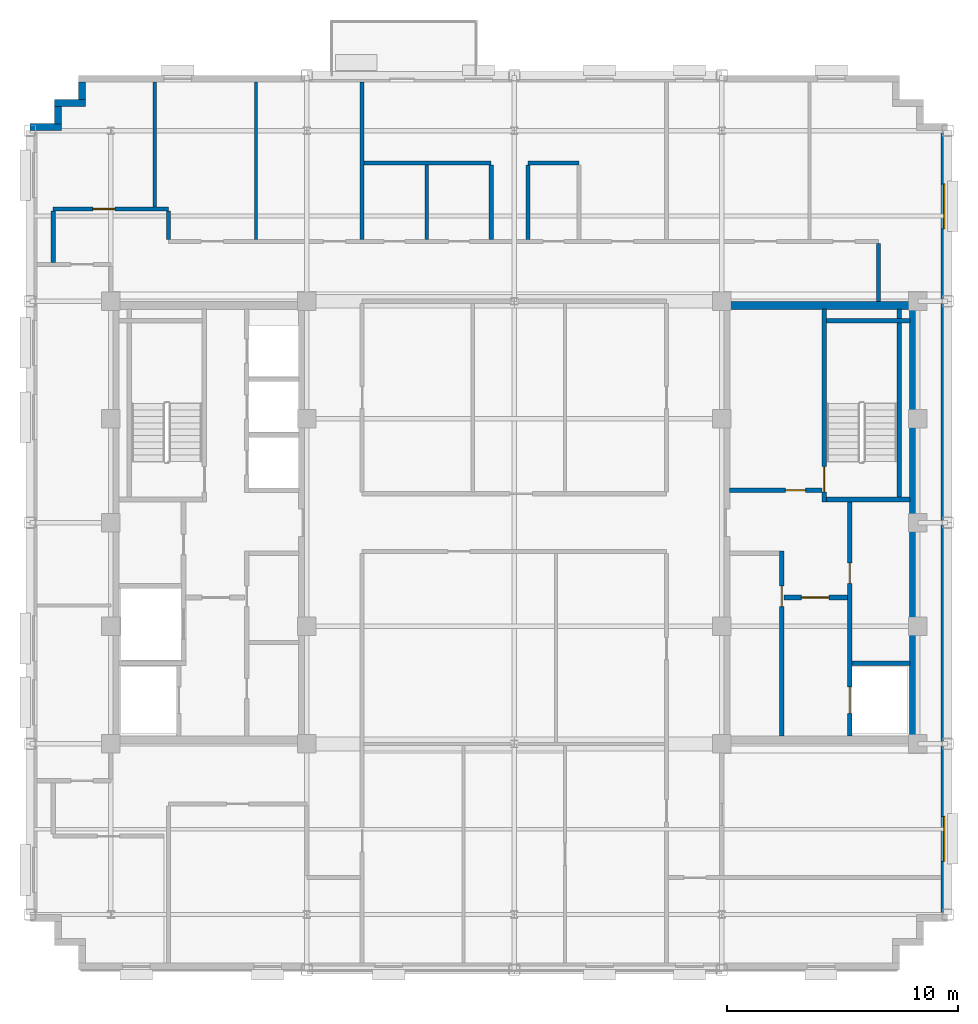
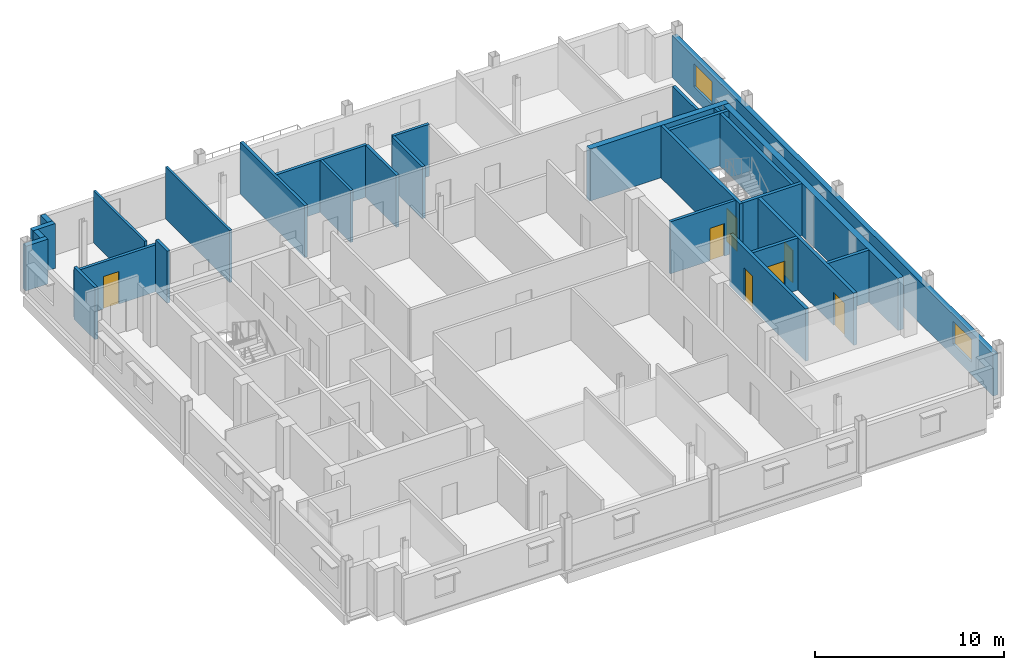
# One storey, part 8 of 14: 28 walls, 7 doors, 2 windows, 9 openings.
"""IFC4 building model written with IfcOpenShell, lengths in metres."""

from ifc_helpers import new_model, si_unit, direction, frame, frame_2d, origin, place, context, subcontext, project, spatial, rectangle, extrude, source, transform, mapped, material, layer, layer_set, type_object, type_shapes, element, fill, save


model = new_model("IFC4")

# Units and contexts
model_context = context("Model", 3, precision=1e-05, world=origin(), true_north=direction((0.0, 1.0)))
body_context = subcontext(model_context, "Body", "Model", "MODEL_VIEW")
ifc_project = project(units=[si_unit("LENGTHUNIT", "METRE"), si_unit("AREAUNIT", "SQUARE_METRE"), si_unit("VOLUMEUNIT", "CUBIC_METRE"), si_unit("PLANEANGLEUNIT", "RADIAN"), si_unit("MASSUNIT", "GRAM", prefix="KILO")], contexts=[model_context])

# Site, building, storey
site_placement = place(None, origin())
site = spatial("IfcSite", under=ifc_project, at=site_placement, CompositionType="ELEMENT")
building_placement = place(site_placement, origin())
building = spatial("IfcBuilding", under=site, at=building_placement, Name="Nuvemarco Arch Tower", CompositionType="ELEMENT")
storey_placement = place(building_placement, frame((0.0, 0.0, 268.89990234375)))
storey = spatial("IfcBuildingStorey", under=building, at=storey_placement, Name="L71", CompositionType="ELEMENT", Elevation=268.89990234375)

# Wall, openings, windows
ifc_material_1 = material(Name="Precast concrete C45/55", Category="concrete")
ifc_layer_1 = layer(ifc_material_1, 0.300048828125, Name="EW-HIGH-300")
ifc_layer_set_1 = layer_set([ifc_layer_1], Name="Precast concrete C45/55")
wall_type_1 = type_object("IfcWallType", Name="EW-HIGH-300", PredefinedType="STANDARD", material=ifc_layer_set_1)
wall_1_placement = place(storey_placement, frame((18.64990234375, -17.00390625, 0.0), z_axis=(0.0, 0.0, 1.0), x_axis=(0.0, 1.0, 0.0)))
wall_1 = element("IfcWall", 1, at=wall_1_placement, inside=storey, type_object=wall_type_1, Name="L71 exterior precast facade wall 6", PredefinedType="STANDARD", context=body_context, shape_type="SweptSolid", body=[
    extrude(rectangle(XDim=34.0078125, YDim=0.300048828125, at=frame_2d((17.00390625, 0.0))), origin(), (0.0, 0.0, 1.0), 2.705078125),
])
opening_1_placement = place(wall_1_placement, frame((2.311279296875, 0.0, 0.800048828125)))
opening_1 = element("IfcOpeningElement", 2, at=opening_1_placement, cuts=wall_1, Name="Opening WN-7", PredefinedType="OPENING", context=body_context, shape_type="SweptSolid", body=[
    extrude(rectangle(XDim=1.949951171875, YDim=1.47998046875, at=frame_2d((0.97509765625, 0.739990234375))), frame((0.0, 0.159912109375, 0.0), z_axis=(0.0, -1.0, 0.0), x_axis=(1.0, 0.0, 0.0)), (0.0, 0.0, 1.0), 0.320068359375),
])
opening_2_placement = place(wall_1_placement, frame((29.74658203125, 0.0, 0.800048828125)))
opening_2 = element("IfcOpeningElement", 3, at=opening_2_placement, cuts=wall_1, Name="Opening WN-7", PredefinedType="OPENING", context=body_context, shape_type="SweptSolid", body=[
    extrude(rectangle(XDim=1.949951171875, YDim=1.47998046875, at=frame_2d((0.97509765625, 0.739990234375))), frame((0.0, 0.159912109375, 0.0), z_axis=(0.0, -1.0, 0.0), x_axis=(1.0, 0.0, 0.0)), (0.0, 0.0, 1.0), 0.320068359375),
])
ifc_material_2 = material(Name="Insulated solar-control glass", Category="glass")
window_type = type_object("IfcWindowType", Name="WN-HIGH-1950x1480", PartitioningType="DOUBLE_PANEL_VERTICAL", PredefinedType="WINDOW", material=ifc_material_2)
shared_shape_1 = source(origin(), body_context, "Body", "SweptSolid", [
    extrude(rectangle(XDim=1.949951171875, YDim=1.47998046875, at=frame_2d((0.97509765625, 0.739990234375))), frame((0.0, 0.030029296875, 0.0), z_axis=(0.0, -1.0, 0.0), x_axis=(1.0, 0.0, 0.0)), (0.0, 0.0, 1.0), 0.06005859375),
])
type_shapes(window_type, [shared_shape_1])
window_1_placement = place(opening_1_placement, origin())
window_1 = element("IfcWindow", 4, at=window_1_placement, inside=storey, type_object=window_type, Name="L71 punched facade window 1", OverallHeight=1.47998046875, OverallWidth=1.949951171875, PartitioningType="SINGLE_PANEL", PredefinedType="WINDOW", context=body_context, shape_type="MappedRepresentation", body=[
    mapped(shared_shape_1, transform((0.0, 0.0, 0.0), scale=1.0)),
])
fill(opening_1, window_1)
window_2_placement = place(opening_2_placement, origin())
window_2 = element("IfcWindow", 5, at=window_2_placement, inside=storey, type_object=window_type, Name="L71 punched facade window 7", OverallHeight=1.47998046875, OverallWidth=1.949951171875, PartitioningType="SINGLE_PANEL", PredefinedType="WINDOW", context=body_context, shape_type="MappedRepresentation", body=[
    mapped(shared_shape_1, transform((0.0, 0.0, 0.0), scale=1.0)),
])
fill(opening_2, window_2)

# Walls
wall_2_placement = place(storey_placement, frame((-18.75, 18.345947265625, 0.0), z_axis=(0.0, 0.0, 1.0), x_axis=(0.0, 1.0, 0.0)))
element("IfcWall", 6, at=wall_2_placement, inside=storey, type_object=wall_type_1, Name="L71 exterior precast facade wall 12", PredefinedType="STANDARD", context=body_context, shape_type="SweptSolid", body=[
    extrude(rectangle(XDim=0.758056640625, YDim=0.300048828125, at=frame_2d((0.37890625, 0.0))), origin(), (0.0, 0.0, 1.0), 2.89208984375),
])
wall_3_placement = place(storey_placement, frame((-19.949951171875, 18.199951171875, 0.0), z_axis=(0.0, 0.0, 1.0), x_axis=(1.0, 0.0, 0.0)))
element("IfcWall", 7, at=wall_3_placement, inside=storey, type_object=wall_type_1, Name="L71 exterior precast facade wall 13", PredefinedType="STANDARD", context=body_context, shape_type="SweptSolid", body=[
    extrude(rectangle(XDim=1.349853515625, YDim=0.300048828125, at=frame_2d((0.6748046875, 0.0))), origin(), (0.0, 0.0, 1.0), 2.89208984375),
])
wall_4_placement = place(storey_placement, frame((-19.800048828125, 17.2958984375, 0.0), z_axis=(0.0, 0.0, 1.0), x_axis=(0.0, 1.0, 0.0)))
element("IfcWall", 8, at=wall_4_placement, inside=storey, type_object=wall_type_1, Name="L71 exterior precast facade wall 14", PredefinedType="STANDARD", context=body_context, shape_type="SweptSolid", body=[
    extrude(rectangle(XDim=0.758056640625, YDim=0.300048828125, at=frame_2d((0.37890625, 0.0))), origin(), (0.0, 0.0, 1.0), 2.89208984375),
])
wall_5_placement = place(storey_placement, frame((-21.0, 17.14990234375, 0.0), z_axis=(0.0, 0.0, 1.0), x_axis=(1.0, 0.0, 0.0)))
element("IfcWall", 9, at=wall_5_placement, inside=storey, type_object=wall_type_1, Name="L71 exterior precast facade wall 15", PredefinedType="STANDARD", context=body_context, shape_type="SweptSolid", body=[
    extrude(rectangle(XDim=1.35009765625, YDim=0.300048828125, at=frame_2d((0.675048828125, 0.0))), origin(), (0.0, 0.0, 1.0), 2.89208984375),
])
ifc_material_3 = material(Name="Concrete C50/60", Category="concrete")
ifc_layer_2 = layer(ifc_material_3, 0.35009765625, Name="WL-CORE-350")
ifc_layer_set_2 = layer_set([ifc_layer_2], Name="Concrete C50/60")
wall_type_2 = type_object("IfcWallType", Name="WL-CORE-350", PredefinedType="SHEAR", material=ifc_layer_set_2)
wall_6_placement = place(storey_placement, frame((9.0, 9.425048828125, 0.0), z_axis=(0.0, 0.0, 1.0), x_axis=(1.0, 0.0, 0.0)))
element("IfcWall", 10, at=wall_6_placement, inside=storey, type_object=wall_type_2, Name="L71 E-core shear wall N", PredefinedType="SHEAR", context=body_context, shape_type="SweptSolid", body=[
    extrude(rectangle(XDim=8.5, YDim=0.35009765625, at=frame_2d((4.25, 0.0))), origin(), (0.0, 0.0, 1.0), 3.3701171875),
])
wall_7_placement = place(storey_placement, frame((17.324951171875, -9.2548828125, 0.0), z_axis=(0.0, 0.0, 1.0), x_axis=(0.0, 1.0, 0.0)))
element("IfcWall", 11, at=wall_7_placement, inside=storey, type_object=wall_type_2, Name="L71 E-core shear wall E", PredefinedType="SHEAR", context=body_context, shape_type="SweptSolid", body=[
    extrude(rectangle(XDim=18.509765625, YDim=0.35009765625, at=frame_2d((9.2548828125, 0.0))), origin(), (0.0, 0.0, 1.0), 3.3701171875),
])

# Wall, opening, door
ifc_material_4 = material(Name="Fire-rated gypsum drywall partition")
ifc_layer_3 = layer(ifc_material_4, 0.179931640625, Name="WL-CORR-180")
ifc_layer_set_3 = layer_set([ifc_layer_3], Name="Fire-rated gypsum drywall partition")
wall_type_3 = type_object("IfcWallType", Name="WL-CORR-180", PredefinedType="PARTITIONING", material=ifc_layer_set_3)
wall_8_placement = place(storey_placement, frame((9.344970703125, 1.39990234375, 0.0), z_axis=(0.0, 0.0, 1.0), x_axis=(1.0, 0.0, 0.0)))
wall_8 = element("IfcWall", 12, at=wall_8_placement, inside=storey, type_object=wall_type_3, Name="L71 interior wall IW-L71-EK-S", PredefinedType="PARTITIONING", context=body_context, shape_type="SweptSolid", body=[
    extrude(rectangle(XDim=4.0, YDim=0.179931640625, at=frame_2d((2.0, 0.0))), origin(), (0.0, 0.0, 1.0), 3.360107421875),
])
opening_3_placement = place(wall_8_placement, frame((2.4150390625, 0.0, 0.0)))
opening_3 = element("IfcOpeningElement", 13, at=opening_3_placement, cuts=wall_8, Name="Opening FD-4", PredefinedType="OPENING", context=body_context, shape_type="SweptSolid", body=[
    extrude(rectangle(XDim=0.8798828125, YDim=2.10009765625, at=frame_2d((0.43994140625, 1.050048828125))), frame((0.0, 0.099853515625, 0.0), z_axis=(0.0, -1.0, 0.0), x_axis=(1.0, 0.0, 0.0)), (0.0, 0.0, 1.0), 0.199951171875),
])
ifc_material_5 = material(Name="Anodised steel fire door", Category="steel")
door_type_1 = type_object("IfcDoorType", Name="DR-RISER-FD", OperationType="NOTDEFINED", PredefinedType="DOOR", material=ifc_material_5)
shared_shape_2 = source(origin(), body_context, "Body", "SweptSolid", [
    extrude(rectangle(XDim=0.8798828125, YDim=2.10009765625, at=frame_2d((0.43994140625, 1.050048828125))), frame((0.0, 0.02490234375, 0.0), z_axis=(0.0, -1.0, 0.0), x_axis=(1.0, 0.0, 0.0)), (0.0, 0.0, 1.0), 0.050048828125),
])
type_shapes(door_type_1, [shared_shape_2])
door_1_placement = place(opening_3_placement, origin())
door_1 = element("IfcDoor", 14, at=door_1_placement, inside=storey, type_object=door_type_1, Name="L71 door FD-L71-EK1A", OperationType="SINGLE_SWING_RIGHT", OverallHeight=2.10009765625, OverallWidth=0.8798828125, PredefinedType="DOOR", context=body_context, shape_type="MappedRepresentation", body=[
    mapped(shared_shape_2, transform((0.0, 0.0, 0.0), scale=1.0)),
])
fill(opening_3, door_1)

wall_9_placement = place(storey_placement, frame((-20.0, 13.60009765625, 0.0), z_axis=(0.0, 0.0, 1.0), x_axis=(1.0, 0.0, 0.0)))
wall_9 = element("IfcWall", 15, at=wall_9_placement, inside=storey, type_object=wall_type_3, Name="L71 interior wall IW-L71-015", PredefinedType="PARTITIONING", context=body_context, shape_type="SweptSolid", body=[
    extrude(rectangle(XDim=5.0, YDim=0.179931640625, at=frame_2d((2.5, 0.0))), origin(), (0.0, 0.0, 1.0), 3.0380859375),
])
opening_4_placement = place(wall_9_placement, frame((1.719970703125, 0.0, 0.0)))
opening_4 = element("IfcOpeningElement", 16, at=opening_4_placement, cuts=wall_9, Name="Opening FD-5", PredefinedType="OPENING", context=body_context, shape_type="SweptSolid", body=[
    extrude(rectangle(XDim=0.9599609375, YDim=2.10009765625, at=frame_2d((0.47998046875, 1.050048828125))), frame((0.0, 0.099853515625, 0.0), z_axis=(0.0, -1.0, 0.0), x_axis=(1.0, 0.0, 0.0)), (0.0, 0.0, 1.0), 0.199951171875),
])
ifc_material_6 = material(Name="Timber fire door", Category="wood")
door_type_2 = type_object("IfcDoorType", Name="DR-CORR-FD", OperationType="NOTDEFINED", PredefinedType="DOOR", material=ifc_material_6)
shared_shape_3 = source(origin(), body_context, "Body", "SweptSolid", [
    extrude(rectangle(XDim=0.9599609375, YDim=2.10009765625, at=frame_2d((0.47998046875, 1.050048828125))), frame((0.0, 0.02490234375, 0.0), z_axis=(0.0, -1.0, 0.0), x_axis=(1.0, 0.0, 0.0)), (0.0, 0.0, 1.0), 0.050048828125),
])
type_shapes(door_type_2, [shared_shape_3])
door_2_placement = place(opening_4_placement, origin())
door_2 = element("IfcDoor", 17, at=door_2_placement, inside=storey, type_object=door_type_2, Name="L71 door DR-L71-N_1", OperationType="SINGLE_SWING_LEFT", OverallHeight=2.10009765625, OverallWidth=0.9599609375, PredefinedType="DOOR", context=body_context, shape_type="MappedRepresentation", body=[
    mapped(shared_shape_3, transform((0.0, 0.0, 0.0), scale=1.0)),
])
fill(opening_4, door_2)

# Walls
wall_10_placement = place(storey_placement, frame((-6.529052734375, 15.60009765625, 0.0), z_axis=(0.0, 0.0, 1.0), x_axis=(1.0, 0.0, 0.0)))
element("IfcWall", 18, at=wall_10_placement, inside=storey, type_object=wall_type_3, Name="L71 interior wall IW-L71-016", PredefinedType="PARTITIONING", context=body_context, shape_type="SweptSolid", body=[
    extrude(rectangle(XDim=5.529052734375, YDim=0.179931640625, at=frame_2d((2.7646484375, 0.0))), origin(), (0.0, 0.0, 1.0), 3.360107421875),
])
wall_11_placement = place(storey_placement, frame((0.60009765625, 15.60009765625, 0.0), z_axis=(0.0, 0.0, 1.0), x_axis=(1.0, 0.0, 0.0)))
element("IfcWall", 19, at=wall_11_placement, inside=storey, type_object=wall_type_3, Name="L71 interior wall IW-L71-017", PredefinedType="PARTITIONING", context=body_context, shape_type="SweptSolid", body=[
    extrude(rectangle(XDim=2.199951171875, YDim=0.179931640625, at=frame_2d((1.10009765625, 0.0))), origin(), (0.0, 0.0, 1.0), 3.360107421875),
])
wall_12_placement = place(storey_placement, frame((-20.0, 11.285888671875, 0.0), z_axis=(0.0, 0.0, 1.0), x_axis=(0.0, 1.0, 0.0)))
element("IfcWall", 20, at=wall_12_placement, inside=storey, type_object=wall_type_3, Name="L71 interior wall IW-L71-019", PredefinedType="PARTITIONING", context=body_context, shape_type="SweptSolid", body=[
    extrude(rectangle(XDim=2.22802734375, YDim=0.179931640625, at=frame_2d((1.114013671875, 0.0))), origin(), (0.0, 0.0, 1.0), 3.360107421875),
])
wall_13_placement = place(storey_placement, frame((-15.0, 12.285888671875, 0.0), z_axis=(0.0, 0.0, 1.0), x_axis=(0.0, 1.0, 0.0)))
element("IfcWall", 21, at=wall_13_placement, inside=storey, type_object=wall_type_3, Name="L71 interior wall IW-L71-024", PredefinedType="PARTITIONING", context=body_context, shape_type="SweptSolid", body=[
    extrude(rectangle(XDim=1.22802734375, YDim=0.179931640625, at=frame_2d((0.614013671875, 0.0))), origin(), (0.0, 0.0, 1.0), 3.360107421875),
])
wall_14_placement = place(storey_placement, frame((-6.60009765625, 12.285888671875, 0.0), z_axis=(0.0, 0.0, 1.0), x_axis=(0.0, 1.0, 0.0)))
element("IfcWall", 22, at=wall_14_placement, inside=storey, type_object=wall_type_3, Name="L71 interior wall IW-L71-029", PredefinedType="PARTITIONING", context=body_context, shape_type="SweptSolid", body=[
    extrude(rectangle(XDim=6.814208984375, YDim=0.179931640625, at=frame_2d((3.4072265625, 0.0))), origin(), (0.0, 0.0, 1.0), 3.360107421875),
])
for number, where, z_axis, x_axis, name in (
    (23, (-1.0, 12.285888671875, 0.0), (0.0, 0.0, 1.0), (0.0, 1.0, 0.0), "L71 interior wall IW-L71-033"),
    (24, (0.60009765625, 12.285888671875, 0.0), (0.0, 0.0, 1.0), (0.0, 1.0, 0.0), "L71 interior wall IW-L71-034"),
):
    element("IfcWall", number, at=place(storey_placement, frame(where, z_axis=z_axis, x_axis=x_axis)), inside=storey, type_object=wall_type_3, Name=name, PredefinedType="PARTITIONING", context=body_context, shape_type="SweptSolid", body=[
        extrude(rectangle(XDim=3.22802734375, YDim=0.179931640625, at=frame_2d((1.614013671875, 0.0))), origin(), (0.0, 0.0, 1.0), 3.360107421875),
    ])
wall_15_placement = place(storey_placement, frame((15.800048828125, 9.60009765625, 0.0), z_axis=(0.0, 0.0, 1.0), x_axis=(0.0, 1.0, 0.0)))
element("IfcWall", 25, at=wall_15_placement, inside=storey, type_object=wall_type_3, Name="L71 interior wall IW-L71-044", PredefinedType="PARTITIONING", context=body_context, shape_type="SweptSolid", body=[
    extrude(rectangle(XDim=2.513916015625, YDim=0.179931640625, at=frame_2d((1.2568359375, 0.0))), origin(), (0.0, 0.0, 1.0), 3.360107421875),
])
ifc_material_7 = material(Name="Gypsum plasterboard partition")
ifc_layer_4 = layer(ifc_material_7, 0.139892578125, Name="WL-ROOM-140")
ifc_layer_set_4 = layer_set([ifc_layer_4], Name="Gypsum plasterboard partition")
wall_type_4 = type_object("IfcWallType", Name="WL-ROOM-140", PredefinedType="PARTITIONING", material=ifc_layer_set_4)
wall_16_placement = place(storey_placement, frame((-15.60009765625, 13.68603515625, 0.0), z_axis=(0.0, 0.0, 1.0), x_axis=(0.0, 1.0, 0.0)))
element("IfcWall", 26, at=wall_16_placement, inside=storey, type_object=wall_type_4, Name="L71 interior wall IW-L71-022", PredefinedType="PARTITIONING", context=body_context, shape_type="SweptSolid", body=[
    extrude(rectangle(XDim=5.4140625, YDim=0.139892578125, at=frame_2d((2.70703125, 0.0))), origin(), (0.0, 0.0, 1.0), 3.360107421875),
])
wall_17_placement = place(storey_placement, frame((-11.199951171875, 12.285888671875, 0.0), z_axis=(0.0, 0.0, 1.0), x_axis=(0.0, 1.0, 0.0)))
element("IfcWall", 27, at=wall_17_placement, inside=storey, type_object=wall_type_4, Name="L71 interior wall IW-L71-025", PredefinedType="PARTITIONING", context=body_context, shape_type="SweptSolid", body=[
    extrude(rectangle(XDim=6.814208984375, YDim=0.139892578125, at=frame_2d((3.4072265625, 0.0))), origin(), (0.0, 0.0, 1.0), 3.360107421875),
])

# Wall, opening, door
ifc_layer_5 = layer(ifc_material_3, 0.199951171875, Name="WL-SHAFT-220")
ifc_layer_set_5 = layer_set([ifc_layer_5], Name="Concrete C50/60")
wall_type_5 = type_object("IfcWallType", Name="WL-SHAFT-220", PredefinedType="SHEAR", material=ifc_layer_set_5)
wall_18_placement = place(storey_placement, frame((13.43994140625, 0.89990234375, 0.0), z_axis=(0.0, 0.0, 1.0), x_axis=(0.0, 1.0, 0.0)))
wall_18 = element("IfcWall", 28, at=wall_18_placement, inside=storey, type_object=wall_type_5, Name="L71 structural shaft wall SW-L71-E-ST2W", PredefinedType="SHEAR", context=body_context, shape_type="SweptSolid", body=[
    extrude(rectangle(XDim=8.35498046875, YDim=0.199951171875, at=frame_2d((4.177490234375, 0.0))), origin(), (0.0, 0.0, 1.0), 3.3701171875),
])
opening_5_placement = place(wall_18_placement, frame((0.429931640625, 0.0, 0.0)))
opening_5 = element("IfcOpeningElement", 29, at=opening_5_placement, cuts=wall_18, Name="Opening FD-1", PredefinedType="OPENING", context=body_context, shape_type="SweptSolid", body=[
    extrude(rectangle(XDim=1.10009765625, YDim=2.14990234375, at=frame_2d((0.550048828125, 1.074951171875))), frame((0.0, 0.10986328125, 0.0), z_axis=(0.0, -1.0, 0.0), x_axis=(1.0, 0.0, 0.0)), (0.0, 0.0, 1.0), 0.219970703125),
])
door_type_3 = type_object("IfcDoorType", Name="DR-STAIR-FD", OperationType="NOTDEFINED", PredefinedType="DOOR", material=ifc_material_5)
shared_shape_4 = source(origin(), body_context, "Body", "SweptSolid", [
    extrude(rectangle(XDim=1.10009765625, YDim=2.14990234375, at=frame_2d((0.550048828125, 1.074951171875))), frame((0.0, 0.02490234375, 0.0), z_axis=(0.0, -1.0, 0.0), x_axis=(1.0, 0.0, 0.0)), (0.0, 0.0, 1.0), 0.050048828125),
])
type_shapes(door_type_3, [shared_shape_4])
door_3_placement = place(opening_5_placement, origin())
door_3 = element("IfcDoor", 30, at=door_3_placement, inside=storey, type_object=door_type_3, Name="L71 door FD-L71-ST2", OperationType="SINGLE_SWING_RIGHT", OverallHeight=2.14990234375, OverallWidth=1.10009765625, PredefinedType="DOOR", context=body_context, shape_type="MappedRepresentation", body=[
    mapped(shared_shape_4, transform((0.0, 0.0, 0.0), scale=1.0)),
])
fill(opening_5, door_3)

# Walls
for number, where, z_axis, x_axis, name in (
    (31, (13.534912109375, 1.0, 0.0), (0.0, 0.0, 1.0), (1.0, 0.0, 0.0), "L71 structural shaft wall SW-L71-E-ST2S"),
    (32, (13.534912109375, 8.75, 0.0), (0.0, 0.0, 1.0), (1.0, 0.0, 0.0), "L71 structural shaft wall SW-L71-E-ST2N"),
):
    element("IfcWall", number, at=place(storey_placement, frame(where, z_axis=z_axis, x_axis=x_axis)), inside=storey, type_object=wall_type_5, Name=name, PredefinedType="SHEAR", context=body_context, shape_type="SweptSolid", body=[
        extrude(rectangle(XDim=3.6201171875, YDim=0.199951171875, at=frame_2d((1.81005859375, 0.0))), origin(), (0.0, 0.0, 1.0), 3.3701171875),
    ])
wall_19_placement = place(storey_placement, frame((16.699951171875, 1.094970703125, 0.0), z_axis=(0.0, 0.0, 1.0), x_axis=(0.0, 1.0, 0.0)))
element("IfcWall", 33, at=wall_19_placement, inside=storey, type_object=wall_type_5, Name="L71 structural shaft wall SW-L71-E-ST2E", PredefinedType="SHEAR", context=body_context, shape_type="SweptSolid", body=[
    extrude(rectangle(XDim=8.159912109375, YDim=0.199951171875, at=frame_2d((4.080078125, 0.0))), origin(), (0.0, 0.0, 1.0), 3.3701171875),
])

# Wall, openings, doors
wall_20_placement = place(storey_placement, frame((14.550048828125, -9.2548828125, 0.0), z_axis=(0.0, 0.0, 1.0), x_axis=(0.0, 1.0, 0.0)))
wall_20 = element("IfcWall", 34, at=wall_20_placement, inside=storey, type_object=wall_type_5, Name="L71 structural shaft wall SW-L71-E-SHW", PredefinedType="SHEAR", context=body_context, shape_type="SweptSolid", body=[
    extrude(rectangle(XDim=10.159912109375, YDim=0.199951171875, at=frame_2d((5.080078125, 0.0))), origin(), (0.0, 0.0, 1.0), 3.3701171875),
])
opening_6_placement = place(wall_20_placement, frame((6.614990234375, 0.0, 0.0)))
opening_6 = element("IfcOpeningElement", 35, at=opening_6_placement, cuts=wall_20, Name="Opening FD-4", PredefinedType="OPENING", context=body_context, shape_type="SweptSolid", body=[
    extrude(rectangle(XDim=0.8798828125, YDim=2.10009765625, at=frame_2d((0.43994140625, 1.050048828125))), frame((0.0, 0.10986328125, 0.0), z_axis=(0.0, -1.0, 0.0), x_axis=(1.0, 0.0, 0.0)), (0.0, 0.0, 1.0), 0.219970703125),
])
opening_7_placement = place(wall_20_placement, frame((0.97998046875, 0.0, 0.0)))
opening_7 = element("IfcOpeningElement", 36, at=opening_7_placement, cuts=wall_20, Name="Opening LD-2", PredefinedType="OPENING", context=body_context, shape_type="SweptSolid", body=[
    extrude(rectangle(XDim=1.14990234375, YDim=2.14990234375, at=frame_2d((0.574951171875, 1.074951171875))), frame((0.0, 0.10986328125, 0.0), z_axis=(0.0, -1.0, 0.0), x_axis=(1.0, 0.0, 0.0)), (0.0, 0.0, 1.0), 0.219970703125),
])
door_4_placement = place(opening_6_placement, origin())
door_4 = element("IfcDoor", 37, at=door_4_placement, inside=storey, type_object=door_type_1, Name="L71 door FD-L71-ERIS", OperationType="SINGLE_SWING_RIGHT", OverallHeight=2.10009765625, OverallWidth=0.8798828125, PredefinedType="DOOR", context=body_context, shape_type="MappedRepresentation", body=[
    mapped(shared_shape_2, transform((0.0, 0.0, 0.0), scale=1.0)),
])
fill(opening_6, door_4)
ifc_material_8 = material(Name="Stainless steel lift door", Category="steel")
door_type_4 = type_object("IfcDoorType", Name="DR-LIFT-FIRE", OperationType="DOUBLE_DOOR_SLIDING", PredefinedType="DOOR", material=ifc_material_8)
shared_shape_5 = source(origin(), body_context, "Body", "SweptSolid", [
    extrude(rectangle(XDim=1.14990234375, YDim=2.14990234375, at=frame_2d((0.574951171875, 1.074951171875))), frame((0.0, 0.02490234375, 0.0), z_axis=(0.0, -1.0, 0.0), x_axis=(1.0, 0.0, 0.0)), (0.0, 0.0, 1.0), 0.050048828125),
])
type_shapes(door_type_4, [shared_shape_5])
door_5_placement = place(opening_7_placement, origin())
door_5 = element("IfcDoor", 38, at=door_5_placement, inside=storey, type_object=door_type_4, Name="L71 Lift landing sliding door FFL-2", OperationType="DOUBLE_DOOR_SLIDING", OverallHeight=2.14990234375, OverallWidth=1.14990234375, PredefinedType="DOOR", context=body_context, shape_type="MappedRepresentation", body=[
    mapped(shared_shape_5, transform((0.0, 0.0, 0.0), scale=1.0)),
])
fill(opening_7, door_5)

# Wall
wall_21_placement = place(storey_placement, frame((14.64501953125, -6.10009765625, 0.0), z_axis=(0.0, 0.0, 1.0), x_axis=(1.0, 0.0, 0.0)))
element("IfcWall", 39, at=wall_21_placement, inside=storey, type_object=wall_type_5, Name="L71 structural shaft wall SW-L71-E-SH1", PredefinedType="SHEAR", context=body_context, shape_type="SweptSolid", body=[
    extrude(rectangle(XDim=2.510009765625, YDim=0.199951171875, at=frame_2d((1.2548828125, 0.0))), origin(), (0.0, 0.0, 1.0), 3.3701171875),
])

# Wall, opening, door
wall_22_placement = place(storey_placement, frame((11.60009765625, -9.2548828125, 0.0), z_axis=(0.0, 0.0, 1.0), x_axis=(0.0, 1.0, 0.0)))
wall_22 = element("IfcWall", 40, at=wall_22_placement, inside=storey, type_object=wall_type_5, Name="L71 structural shaft wall SW-L71-E-PME", PredefinedType="SHEAR", context=body_context, shape_type="SweptSolid", body=[
    extrude(rectangle(XDim=8.02490234375, YDim=0.199951171875, at=frame_2d((4.012451171875, 0.0))), origin(), (0.0, 0.0, 1.0), 3.3701171875),
])
opening_8_placement = place(wall_22_placement, frame((5.614990234375, 0.0, 0.0)))
opening_8 = element("IfcOpeningElement", 41, at=opening_8_placement, cuts=wall_22, Name="Opening FD-4", PredefinedType="OPENING", context=body_context, shape_type="SweptSolid", body=[
    extrude(rectangle(XDim=0.8798828125, YDim=2.10009765625, at=frame_2d((0.43994140625, 1.050048828125))), frame((0.0, 0.10986328125, 0.0), z_axis=(0.0, -1.0, 0.0), x_axis=(1.0, 0.0, 0.0)), (0.0, 0.0, 1.0), 0.219970703125),
])
door_6_placement = place(opening_8_placement, origin())
door_6 = element("IfcDoor", 42, at=door_6_placement, inside=storey, type_object=door_type_1, Name="L71 door FD-L71-ERECPM", OperationType="SINGLE_SWING_LEFT", OverallHeight=2.10009765625, OverallWidth=0.8798828125, PredefinedType="DOOR", context=body_context, shape_type="MappedRepresentation", body=[
    mapped(shared_shape_2, transform((0.0, 0.0, 0.0), scale=1.0)),
])
fill(opening_8, door_6)

wall_23_placement = place(storey_placement, frame((11.695068359375, -3.25, 0.0), z_axis=(0.0, 0.0, 1.0), x_axis=(1.0, 0.0, 0.0)))
wall_23 = element("IfcWall", 43, at=wall_23_placement, inside=storey, type_object=wall_type_5, Name="L71 structural shaft wall SW-L71-E-FFN", PredefinedType="SHEAR", context=body_context, shape_type="SweptSolid", body=[
    extrude(rectangle(XDim=2.760009765625, YDim=0.199951171875, at=frame_2d((1.3798828125, 0.0))), origin(), (0.0, 0.0, 1.0), 3.3701171875),
])
opening_9_placement = place(wall_23_placement, frame((0.7548828125, 0.0, 0.0)))
opening_9 = element("IfcOpeningElement", 44, at=opening_9_placement, cuts=wall_23, Name="Opening FD-2", PredefinedType="OPENING", context=body_context, shape_type="SweptSolid", body=[
    extrude(rectangle(XDim=1.199951171875, YDim=2.14990234375, at=frame_2d((0.60009765625, 1.074951171875))), frame((0.0, 0.10986328125, 0.0), z_axis=(0.0, -1.0, 0.0), x_axis=(1.0, 0.0, 0.0)), (0.0, 0.0, 1.0), 0.219970703125),
])
door_type_5 = type_object("IfcDoorType", Name="DR-FFLOB-FD", OperationType="NOTDEFINED", PredefinedType="DOOR", material=ifc_material_5)
shared_shape_6 = source(origin(), body_context, "Body", "SweptSolid", [
    extrude(rectangle(XDim=1.199951171875, YDim=2.14990234375, at=frame_2d((0.60009765625, 1.074951171875))), frame((0.0, 0.02490234375, 0.0), z_axis=(0.0, -1.0, 0.0), x_axis=(1.0, 0.0, 0.0)), (0.0, 0.0, 1.0), 0.050048828125),
])
type_shapes(door_type_5, [shared_shape_6])
door_7_placement = place(opening_9_placement, origin())
door_7 = element("IfcDoor", 45, at=door_7_placement, inside=storey, type_object=door_type_5, Name="L71 door FD-L71-EFF2", OperationType="SINGLE_SWING_RIGHT", OverallHeight=2.14990234375, OverallWidth=1.199951171875, PredefinedType="DOOR", context=body_context, shape_type="MappedRepresentation", body=[
    mapped(shared_shape_6, transform((0.0, 0.0, 0.0), scale=1.0)),
])
fill(opening_9, door_7)

# Wall
ifc_material_9 = material(Name="Moisture-resistant gypsum partition")
ifc_layer_6 = layer(ifc_material_9, 0.14990234375, Name="WL-WET-150")
ifc_layer_set_6 = layer_set([ifc_layer_6], Name="Moisture-resistant gypsum partition")
wall_type_6 = type_object("IfcWallType", Name="WL-WET-150", PredefinedType="PARTITIONING", material=ifc_layer_set_6)
wall_24_placement = place(storey_placement, frame((-3.800048828125, 12.285888671875, 0.0), z_axis=(0.0, 0.0, 1.0), x_axis=(0.0, 1.0, 0.0)))
element("IfcWall", 46, at=wall_24_placement, inside=storey, type_object=wall_type_6, Name="L71 interior wall IW-L71-030", PredefinedType="PARTITIONING", context=body_context, shape_type="SweptSolid", body=[
    extrude(rectangle(XDim=3.22802734375, YDim=0.14990234375, at=frame_2d((1.614013671875, 0.0))), origin(), (0.0, 0.0, 1.0), 3.360107421875),
])

save(model, "model.ifc")
